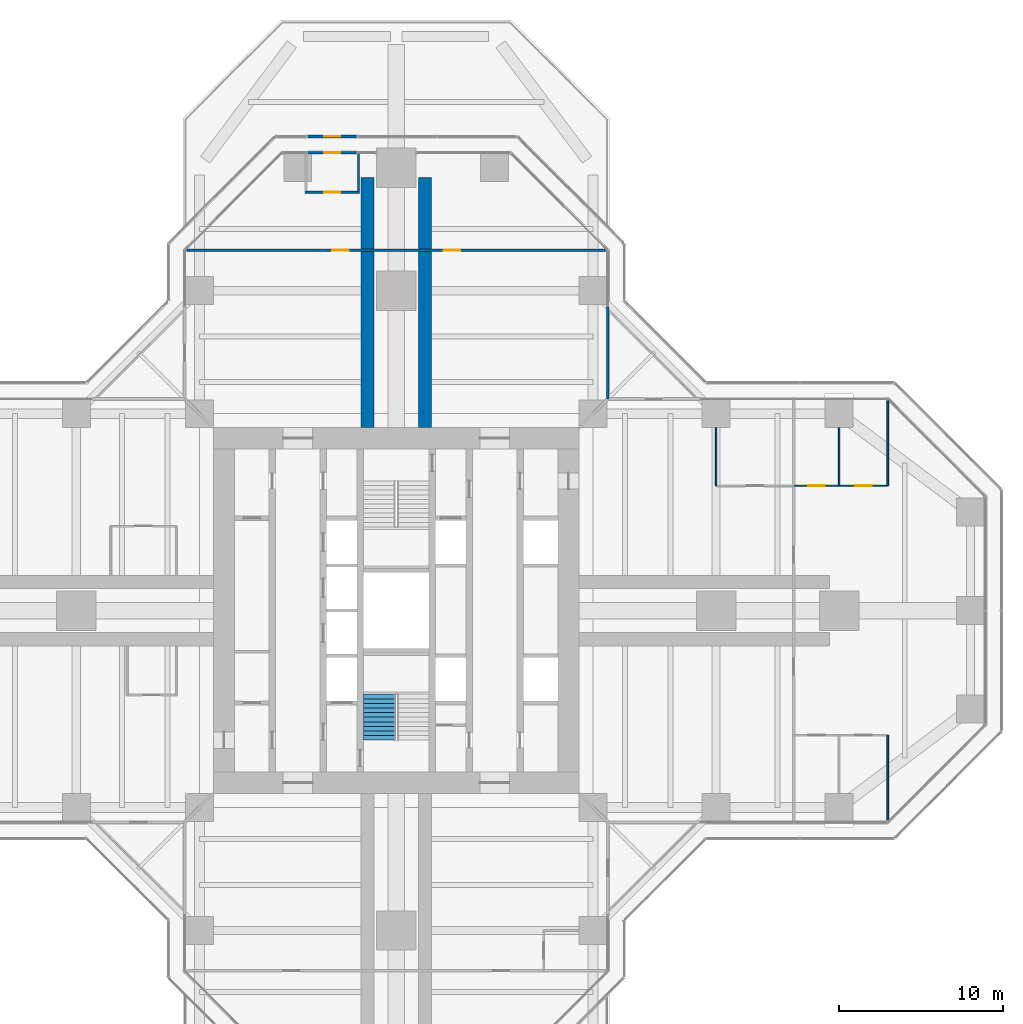
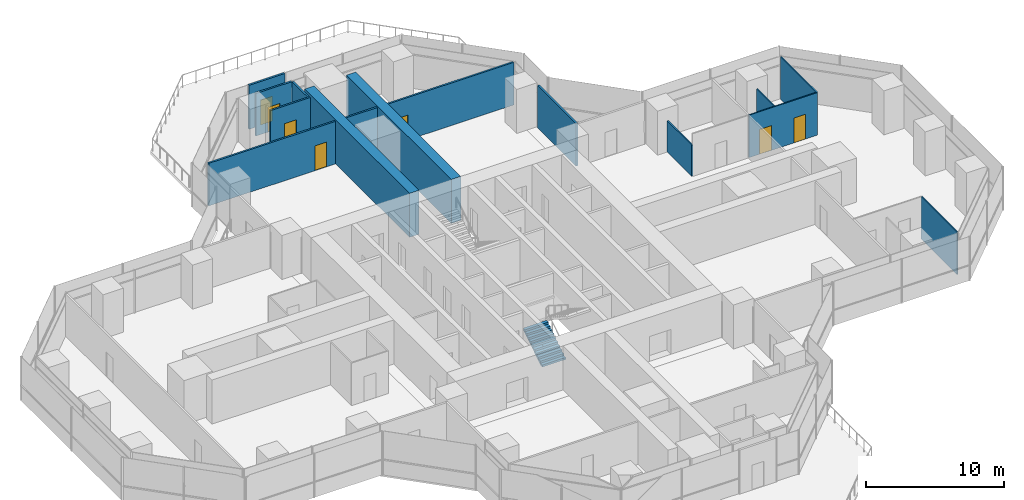
# One storey, part 19 of 21: 13 walls, 7 doors, 1 stair flight, 7 openings, 1 element without a shape of its own.
"""IFC4 building model written with IfcOpenShell, lengths in metres."""

from ifc_helpers import new_model, si_unit, direction, frame, frame_2d, origin, place, context, subcontext, project, spatial, polyline, rectangle, outline, extrude, material, layer, layer_set, type_object, element, fill, aggregate, save


model = new_model("IFC4")

# Units and contexts
model_context = context("Model", 3, precision=1e-05, world=origin(), true_north=direction((0.0, 1.0)))
body_context = subcontext(model_context, "Body", "Model", "MODEL_VIEW")
ifc_project = project(units=[si_unit("LENGTHUNIT", "METRE"), si_unit("AREAUNIT", "SQUARE_METRE"), si_unit("VOLUMEUNIT", "CUBIC_METRE"), si_unit("PLANEANGLEUNIT", "RADIAN"), si_unit("MASSUNIT", "GRAM", prefix="KILO")], contexts=[model_context])

# Site, building, storey
site_placement = place(None, origin())
site = spatial("IfcSite", under=ifc_project, at=site_placement, CompositionType="ELEMENT")
building_placement = place(site_placement, origin())
building = spatial("IfcBuilding", under=site, at=building_placement, Name="Mizan Broadcast Tower", CompositionType="ELEMENT")
storey_placement = place(building_placement, frame((0.0, 0.0, 124.199951171875)))
storey = spatial("IfcBuildingStorey", under=building, at=storey_placement, Name="L27", CompositionType="ELEMENT", Elevation=124.199951171875)

# Wall
ifc_material_1 = material(Name="Aluminium framed glazed screen", Category="aluminium")
ifc_layer_1 = layer(ifc_material_1, 0.159912109375)
ifc_layer_set_1 = layer_set([ifc_layer_1], Name="Aluminium framed glazed screen")
wall_type_1 = type_object("IfcWallType", Name="GLAZED SCREEN WALL 160", PredefinedType="SOLIDWALL", material=ifc_layer_set_1)
wall_1_placement = place(storey_placement, frame((12.89990234375, 12.89990234375, 0.0), z_axis=(0.0, 0.0, 1.0), x_axis=(0.0, 1.0, 0.0)))
element("IfcWall", 1, at=wall_1_placement, inside=storey, type_object=wall_type_1, Name="Winter garden screen L27 N", PredefinedType="SOLIDWALL", context=body_context, shape_type="SweptSolid", body=[
    extrude(rectangle(XDim=5.60009765625, YDim=0.159912109375, at=frame_2d((2.800048828125, 0.0))), origin(), (0.0, 0.0, 1.0), 3.77001953125),
])

# Wall, opening, door
wall_2_placement = place(storey_placement, frame((-2.39990234375, 27.89990234375, 0.0), z_axis=(0.0, 0.0, 1.0), x_axis=(-1.0, 0.0, 0.0)))
wall_2 = element("IfcWall", 2, at=wall_2_placement, inside=storey, type_object=wall_type_1, Name="Roof access screen wall L27 N", PredefinedType="SOLIDWALL", context=body_context, shape_type="SweptSolid", body=[
    extrude(rectangle(XDim=3.0, YDim=0.159912109375, at=frame_2d((1.5, 0.0))), origin(), (0.0, 0.0, 1.0), 3.77001953125),
])
opening_1_placement = place(wall_2_placement, frame((1.0, 0.0, 0.0)))
opening_1 = element("IfcOpeningElement", 3, at=opening_1_placement, cuts=wall_2, Name="Opening RA", PredefinedType="OPENING", context=body_context, shape_type="SweptSolid", body=[
    extrude(rectangle(XDim=1.0, YDim=2.199951171875, at=frame_2d((0.5, 1.10009765625))), frame((0.0, 0.08984375, 0.0), z_axis=(0.0, -1.0, 0.0), x_axis=(1.0, 0.0, 0.0)), (0.0, 0.0, 1.0), 0.179931640625),
])
ifc_material_2 = material(Name="Steel door", Category="steel")
door_type_1 = type_object("IfcDoorType", Name="ROOF ACCESS DOOR 1000", OperationType="SINGLE_SWING_LEFT", PredefinedType="DOOR", material=ifc_material_2)
door_1_placement = place(opening_1_placement, origin())
door_1 = element("IfcDoor", 4, at=door_1_placement, inside=storey, type_object=door_type_1, Name="Roof access door L27 N", OperationType="SINGLE_SWING_LEFT", OverallHeight=2.199951171875, OverallWidth=1.0, PredefinedType="DOOR", context=body_context, shape_type="SweptSolid", body=[
    extrude(rectangle(XDim=1.0, YDim=2.199951171875, at=frame_2d((0.5, 1.10009765625))), frame((0.0, 0.02490234375, 0.0), z_axis=(0.0, -1.0, 0.0), x_axis=(1.0, 0.0, 0.0)), (0.0, 0.0, 1.0), 0.050048828125),
])
fill(opening_1, door_1)

ifc_material_3 = material(Name="Aluminium framed glazed screen", Category="aluminium")
ifc_layer_2 = layer(ifc_material_3, 0.159912109375)
ifc_layer_set_2 = layer_set([ifc_layer_2], Name="Aluminium framed glazed screen")
wall_type_2 = type_object("IfcWallType", Name="OUTER SKIN DOOR SCREEN 160", PredefinedType="SOLIDWALL", material=ifc_layer_set_2)
wall_3_placement = place(storey_placement, frame((-5.39990234375, 28.89990234375, 0.0), z_axis=(0.0, 0.0, 1.0), x_axis=(1.0, 0.0, 0.0)))
wall_3 = element("IfcWall", 5, at=wall_3_placement, inside=storey, type_object=wall_type_2, Name="Outer skin roof access screen L27 N", PredefinedType="SOLIDWALL", context=body_context, shape_type="SweptSolid", body=[
    extrude(rectangle(XDim=3.0, YDim=0.159912109375, at=frame_2d((1.5, 0.0))), origin(), (0.0, 0.0, 1.0), 3.900146484375),
])
opening_2_placement = place(wall_3_placement, frame((1.0, 0.0, 0.0)))
opening_2 = element("IfcOpeningElement", 6, at=opening_2_placement, cuts=wall_3, Name="Opening RA", PredefinedType="OPENING", context=body_context, shape_type="SweptSolid", body=[
    extrude(rectangle(XDim=1.0, YDim=2.199951171875, at=frame_2d((0.5, 1.10009765625))), frame((0.0, 0.08984375, 0.0), z_axis=(0.0, -1.0, 0.0), x_axis=(1.0, 0.0, 0.0)), (0.0, 0.0, 1.0), 0.179931640625),
])
door_2_placement = place(opening_2_placement, origin())
door_2 = element("IfcDoor", 7, at=door_2_placement, inside=storey, type_object=door_type_1, Name="Roof access door L27 N outer skin", OperationType="SINGLE_SWING_RIGHT", OverallHeight=2.199951171875, OverallWidth=1.0, PredefinedType="DOOR", context=body_context, shape_type="SweptSolid", body=[
    extrude(rectangle(XDim=1.0, YDim=2.199951171875, at=frame_2d((0.5, 1.10009765625))), frame((0.0, 0.02490234375, 0.0), z_axis=(0.0, -1.0, 0.0), x_axis=(1.0, 0.0, 0.0)), (0.0, 0.0, 1.0), 0.050048828125),
])
fill(opening_2, door_2)

# Wall, openings, doors
ifc_material_4 = material(Name="Gypsum board on steel studs", Category="steel")
ifc_layer_3 = layer(ifc_material_4, 0.14990234375)
ifc_layer_set_3 = layer_set([ifc_layer_3], Name="Gypsum board on steel studs")
wall_type_3 = type_object("IfcWallType", Name="PARTITION 150", PredefinedType="PARTITIONING", material=ifc_layer_set_3)
wall_4_placement = place(storey_placement, frame((12.786376953125, 21.958984375, 0.0), z_axis=(0.0, 0.0, 1.0), x_axis=(-1.0, 0.0, 0.0)))
wall_4 = element("IfcWall", 8, at=wall_4_placement, inside=storey, type_object=wall_type_3, Name="Partition PT/NX1", PredefinedType="PARTITIONING", context=body_context, shape_type="SweptSolid", body=[
    extrude(rectangle(XDim=25.57275390625, YDim=0.14990234375, at=frame_2d((12.786376953125, 0.0))), origin(), (0.0, 0.0, 1.0), 3.77001953125),
])
opening_3_placement = place(wall_4_placement, frame((15.6865234375, 0.0, 0.0)))
opening_3 = element("IfcOpeningElement", 9, at=opening_3_placement, cuts=wall_4, Name="Opening D10", PredefinedType="OPENING", context=body_context, shape_type="SweptSolid", body=[
    extrude(rectangle(XDim=1.0, YDim=2.199951171875, at=frame_2d((0.5, 1.10009765625))), frame((0.0, 0.0849609375, 0.0), z_axis=(0.0, -1.0, 0.0), x_axis=(1.0, 0.0, 0.0)), (0.0, 0.0, 1.0), 0.169921875),
])
opening_4_placement = place(wall_4_placement, frame((8.886474609375, 0.0, 0.0)))
opening_4 = element("IfcOpeningElement", 10, at=opening_4_placement, cuts=wall_4, Name="Opening D10", PredefinedType="OPENING", context=body_context, shape_type="SweptSolid", body=[
    extrude(rectangle(XDim=1.0, YDim=2.199951171875, at=frame_2d((0.5, 1.10009765625))), frame((0.0, 0.0849609375, 0.0), z_axis=(0.0, -1.0, 0.0), x_axis=(1.0, 0.0, 0.0)), (0.0, 0.0, 1.0), 0.169921875),
])
ifc_material_5 = material(Name="Timber door leaf in aluminium frame", Category="wood")
door_type_2 = type_object("IfcDoorType", Name="ROOM DOOR 1000", OperationType="SINGLE_SWING_LEFT", PredefinedType="DOOR", material=ifc_material_5)
door_3_placement = place(opening_3_placement, origin())
door_3 = element("IfcDoor", 11, at=door_3_placement, inside=storey, type_object=door_type_2, Name="Finance director's office door", OperationType="SINGLE_SWING_RIGHT", OverallHeight=2.199951171875, OverallWidth=1.0, PredefinedType="DOOR", context=body_context, shape_type="SweptSolid", body=[
    extrude(rectangle(XDim=1.0, YDim=2.199951171875, at=frame_2d((0.5, 1.10009765625))), frame((0.0, 0.02490234375, 0.0), z_axis=(0.0, -1.0, 0.0), x_axis=(1.0, 0.0, 0.0)), (0.0, 0.0, 1.0), 0.050048828125),
])
fill(opening_3, door_3)
door_4_placement = place(opening_4_placement, origin())
door_4 = element("IfcDoor", 12, at=door_4_placement, inside=storey, type_object=door_type_2, Name="Finance director's office door", OperationType="SINGLE_SWING_LEFT", OverallHeight=2.199951171875, OverallWidth=1.0, PredefinedType="DOOR", context=body_context, shape_type="SweptSolid", body=[
    extrude(rectangle(XDim=1.0, YDim=2.199951171875, at=frame_2d((0.5, 1.10009765625))), frame((0.0, 0.02490234375, 0.0), z_axis=(0.0, -1.0, 0.0), x_axis=(1.0, 0.0, 0.0)), (0.0, 0.0, 1.0), 0.050048828125),
])
fill(opening_4, door_4)

# Wall, opening, door
wall_5_placement = place(storey_placement, frame((-2.22509765625, 25.4951171875, 0.0), z_axis=(0.0, 0.0, 1.0), x_axis=(-1.0, 0.0, 0.0)))
wall_5 = element("IfcWall", 13, at=wall_5_placement, inside=storey, type_object=wall_type_3, Name="Partition PT/NFMU", PredefinedType="PARTITIONING", context=body_context, shape_type="SweptSolid", body=[
    extrude(rectangle(XDim=3.349853515625, YDim=0.14990234375, at=frame_2d((1.6748046875, 0.0))), origin(), (0.0, 0.0, 1.0), 3.77001953125),
])
opening_5_placement = place(wall_5_placement, frame((1.175048828125, 0.0, 0.0)))
opening_5 = element("IfcOpeningElement", 14, at=opening_5_placement, cuts=wall_5, Name="Opening D10O", PredefinedType="OPENING", context=body_context, shape_type="SweptSolid", body=[
    extrude(rectangle(XDim=1.0, YDim=2.199951171875, at=frame_2d((0.5, 1.10009765625))), frame((0.0, 0.0849609375, 0.0), z_axis=(0.0, -1.0, 0.0), x_axis=(1.0, 0.0, 0.0)), (0.0, 0.0, 1.0), 0.169921875),
])
ifc_material_6 = material(Name="Timber door leaf in aluminium frame", Category="wood")
door_type_3 = type_object("IfcDoorType", Name="OFFICE DOOR 1000 GLAZED", OperationType="SINGLE_SWING_LEFT", PredefinedType="DOOR", material=ifc_material_6)
door_5_placement = place(opening_5_placement, origin())
door_5 = element("IfcDoor", 15, at=door_5_placement, inside=storey, type_object=door_type_3, Name="Facade maintenance store N door", OperationType="SINGLE_SWING_LEFT", OverallHeight=2.199951171875, OverallWidth=1.0, PredefinedType="DOOR", context=body_context, shape_type="SweptSolid", body=[
    extrude(rectangle(XDim=1.0, YDim=2.199951171875, at=frame_2d((0.5, 1.10009765625))), frame((0.0, 0.02490234375, 0.0), z_axis=(0.0, -1.0, 0.0), x_axis=(1.0, 0.0, 0.0)), (0.0, 0.0, 1.0), 0.050048828125),
])
fill(opening_5, door_5)

# Wall
wall_6_placement = place(storey_placement, frame((-2.300048828125, 25.570068359375, 0.0), z_axis=(0.0, 0.0, 1.0), x_axis=(0.0, 1.0, 0.0)))
element("IfcWall", 16, at=wall_6_placement, inside=storey, type_object=wall_type_3, Name="Partition PT/NFMN", PredefinedType="PARTITIONING", context=body_context, shape_type="SweptSolid", body=[
    extrude(rectangle(XDim=2.25, YDim=0.14990234375, at=frame_2d((1.125, 0.0))), origin(), (0.0, 0.0, 1.0), 3.77001953125),
])

# Wall, openings, doors
ifc_material_7 = material(Name="Glazed aluminium partition on aluminium track", Category="aluminium")
ifc_layer_4 = layer(ifc_material_7, 0.10009765625)
ifc_layer_set_4 = layer_set([ifc_layer_4], Name="Glazed aluminium partition on aluminium track")
wall_type_4 = type_object("IfcWallType", Name="PARTITION GLAZED OFFICE FRONT 100", PredefinedType="PARTITIONING", material=ifc_layer_set_4)
wall_7_placement = place(storey_placement, frame((24.22900390625, 7.60009765625, 0.0), z_axis=(0.0, 0.0, 1.0), x_axis=(1.0, 0.0, 0.0)))
wall_7 = element("IfcWall", 17, at=wall_7_placement, inside=storey, type_object=wall_type_4, Name="Glazed office front PT/ECP1", PredefinedType="PARTITIONING", context=body_context, shape_type="SweptSolid", body=[
    extrude(rectangle(XDim=5.72998046875, YDim=0.10009765625, at=frame_2d((2.864990234375, 0.0))), origin(), (0.0, 0.0, 1.0), 3.77001953125),
])
opening_6_placement = place(wall_7_placement, frame((0.885498046875, 0.0, 0.0)))
opening_6 = element("IfcOpeningElement", 18, at=opening_6_placement, cuts=wall_7, Name="Opening D10O", PredefinedType="OPENING", context=body_context, shape_type="SweptSolid", body=[
    extrude(rectangle(XDim=1.0, YDim=2.199951171875, at=frame_2d((0.5, 1.10009765625))), frame((0.0, 0.06005859375, 0.0), z_axis=(0.0, -1.0, 0.0), x_axis=(1.0, 0.0, 0.0)), (0.0, 0.0, 1.0), 0.1201171875),
])
opening_7_placement = place(wall_7_placement, frame((3.75048828125, 0.0, 0.0)))
opening_7 = element("IfcOpeningElement", 19, at=opening_7_placement, cuts=wall_7, Name="Opening D10O", PredefinedType="OPENING", context=body_context, shape_type="SweptSolid", body=[
    extrude(rectangle(XDim=1.0, YDim=2.199951171875, at=frame_2d((0.5, 1.10009765625))), frame((0.0, 0.06005859375, 0.0), z_axis=(0.0, -1.0, 0.0), x_axis=(1.0, 0.0, 0.0)), (0.0, 0.0, 1.0), 0.1201171875),
])
door_6_placement = place(opening_6_placement, origin())
door_6 = element("IfcDoor", 20, at=door_6_placement, inside=storey, type_object=door_type_3, Name="Office door", OperationType="SINGLE_SWING_LEFT", OverallHeight=2.199951171875, OverallWidth=1.0, PredefinedType="DOOR", context=body_context, shape_type="SweptSolid", body=[
    extrude(rectangle(XDim=1.0, YDim=2.199951171875, at=frame_2d((0.5, 1.10009765625))), frame((0.0, 0.02490234375, 0.0), z_axis=(0.0, -1.0, 0.0), x_axis=(1.0, 0.0, 0.0)), (0.0, 0.0, 1.0), 0.050048828125),
])
fill(opening_6, door_6)
door_7_placement = place(opening_7_placement, origin())
door_7 = element("IfcDoor", 21, at=door_7_placement, inside=storey, type_object=door_type_3, Name="Office door", OperationType="SINGLE_SWING_RIGHT", OverallHeight=2.199951171875, OverallWidth=1.0, PredefinedType="DOOR", context=body_context, shape_type="SweptSolid", body=[
    extrude(rectangle(XDim=1.0, YDim=2.199951171875, at=frame_2d((0.5, 1.10009765625))), frame((0.0, 0.02490234375, 0.0), z_axis=(0.0, -1.0, 0.0), x_axis=(1.0, 0.0, 0.0)), (0.0, 0.0, 1.0), 0.050048828125),
])
fill(opening_7, door_7)

# Walls
wall_8_placement = place(storey_placement, frame((19.5, 7.60009765625, 0.0), z_axis=(0.0, 0.0, 1.0), x_axis=(0.0, 1.0, 0.0)))
element("IfcWall", 22, at=wall_8_placement, inside=storey, type_object=wall_type_4, Name="Glazed office front PT/EQP1950", PredefinedType="PARTITIONING", context=body_context, shape_type="SweptSolid", body=[
    extrude(rectangle(XDim=3.5498046875, YDim=0.10009765625, at=frame_2d((1.77490234375, 0.0))), origin(), (0.0, 0.0, 1.0), 2.77001953125),
])
wall_9_placement = place(storey_placement, frame((27.0, 7.60009765625, 0.0), z_axis=(0.0, 0.0, 1.0), x_axis=(0.0, 1.0, 0.0)))
element("IfcWall", 23, at=wall_9_placement, inside=storey, type_object=wall_type_4, Name="Glazed office front PT/EQP2700", PredefinedType="PARTITIONING", context=body_context, shape_type="SweptSolid", body=[
    extrude(rectangle(XDim=3.5498046875, YDim=0.10009765625, at=frame_2d((1.77490234375, 0.0))), origin(), (0.0, 0.0, 1.0), 2.969970703125),
])
for number, where, z_axis, x_axis, name in (
    (24, (29.958984375, 7.60009765625, 0.0), (0.0, 0.0, 1.0), (0.0, 1.0, 0.0), "Glazed office front PT/EQP2996"),
    (25, (29.958984375, -7.60009765625, 0.0), (0.0, 0.0, 1.0), (0.0, -1.0, 0.0), "Glazed office front PT/EQN2996"),
):
    element("IfcWall", number, at=place(storey_placement, frame(where, z_axis=z_axis, x_axis=x_axis)), inside=storey, type_object=wall_type_4, Name=name, PredefinedType="PARTITIONING", context=body_context, shape_type="SweptSolid", body=[
        extrude(rectangle(XDim=5.219970703125, YDim=0.10009765625, at=frame_2d((2.60986328125, 0.0))), origin(), (0.0, 0.0, 1.0), 3.77001953125),
    ])
ifc_material_8 = material(Name="Concrete C70/85", Category="concrete")
ifc_layer_5 = layer(ifc_material_8, 0.800048828125)
ifc_layer_set_5 = layer_set([ifc_layer_5], Name="Concrete C70/85")
wall_type_5 = type_object("IfcWallType", Name="SPINE WALL 800", PredefinedType="SHEAR", material=ifc_layer_set_5)
for number, where, z_axis, x_axis, name in (
    (26, (1.75, 11.14990234375, 0.0), (0.0, 0.0, 1.0), (0.0, 1.0, 0.0), "Spine wall NR L27"),
    (27, (-1.75, 11.14990234375, 0.0), (0.0, 0.0, 1.0), (0.0, 1.0, 0.0), "Spine wall NL L27"),
):
    element("IfcWall", number, at=place(storey_placement, frame(where, z_axis=z_axis, x_axis=x_axis)), inside=storey, type_object=wall_type_5, Name=name, PredefinedType="SHEAR", context=body_context, shape_type="SweptSolid", body=[
        extrude(rectangle(XDim=15.25, YDim=0.800048828125, at=frame_2d((7.625, 0.0))), origin(), (0.0, 0.0, 1.0), 3.900146484375),
    ])

# Stair, stair flight
ifc_material_9 = material(Name="Concrete C40/50", Category="concrete")
stair_type = type_object("IfcStairType", Name="EXIT STAIR", PredefinedType="HALF_TURN_STAIR", material=ifc_material_9)
stair_placement = place(storey_placement, origin())
stair = element("IfcStair", 28, at=stair_placement, inside=storey, type_object=stair_type, Name="Stair A L27", PredefinedType="HALF_TURN_STAIR")
ifc_material_10 = material(Name="Concrete C40/50", Category="concrete")
stair_flight_type = type_object("IfcStairFlightType", Name="EXIT STAIR FLIGHT", PredefinedType="STRAIGHT", material=ifc_material_10)
stair_flight_placement = place(storey_placement, frame((-1.02490234375, -7.89990234375, 0.0), z_axis=(0.0, 0.0, 1.0), x_axis=(0.0, 1.0, 0.0)))
stair_flight = element("IfcStairFlight", 29, at=stair_flight_placement, type_object=stair_flight_type, Name="A flight 1", NumberOfRisers=11, NumberOfTreads=10, PredefinedType="STRAIGHT", RiserHeight=0.177272727, TreadLength=0.28, context=body_context, shape_type="SweptSolid", body=[
    extrude(outline(polyline([(0.0, 0.0), (0.0, 0.17724609375), (0.280029296875, 0.17724609375), (0.280029296875, 0.3544921875), (0.56005859375, 0.3544921875), (0.56005859375, 0.53173828125), (0.840087890625, 0.53173828125), (0.840087890625, 0.708984375), (1.1201171875, 0.708984375), (1.1201171875, 0.886474609375), (1.39990234375, 0.886474609375), (1.39990234375, 1.063720703125), (1.679931640625, 1.063720703125), (1.679931640625, 1.240966796875), (1.9599609375, 1.240966796875), (1.9599609375, 1.418212890625), (2.239990234375, 1.418212890625), (2.239990234375, 1.595458984375), (2.52001953125, 1.595458984375), (2.52001953125, 1.772705078125), (2.800048828125, 1.772705078125), (2.800048828125, 1.949951171875), (2.800048828125, 1.59521484375), (0.2802734375, 0.0), (0.0, 0.0)])), frame((0.0, 0.97509765625, 0.0), z_axis=(0.0, -1.0, 0.0), x_axis=(1.0, 0.0, 0.0)), (0.0, 0.0, 1.0), 0.4873046875),
    extrude(outline(polyline([(0.0, 0.0), (0.0, 0.17724609375), (0.280029296875, 0.17724609375), (0.280029296875, 0.3544921875), (0.56005859375, 0.3544921875), (0.56005859375, 0.53173828125), (0.840087890625, 0.53173828125), (0.840087890625, 0.708984375), (1.1201171875, 0.708984375), (1.1201171875, 0.886474609375), (1.39990234375, 0.886474609375), (1.39990234375, 1.063720703125), (1.679931640625, 1.063720703125), (1.679931640625, 1.240966796875), (1.9599609375, 1.240966796875), (1.9599609375, 1.418212890625), (2.239990234375, 1.418212890625), (2.239990234375, 1.595458984375), (2.52001953125, 1.595458984375), (2.52001953125, 1.772705078125), (2.800048828125, 1.772705078125), (2.800048828125, 1.949951171875), (2.800048828125, 1.59521484375), (0.2802734375, 0.0), (0.0, 0.0)])), frame((0.0, 0.4873046875, 0.0), z_axis=(0.0, -1.0, 0.0), x_axis=(1.0, 0.0, 0.0)), (0.0, 0.0, 1.0), 0.2431640625),
    extrude(outline(polyline([(0.0, 0.0), (0.0, 0.17724609375), (0.280029296875, 0.17724609375), (0.280029296875, 0.3544921875), (0.56005859375, 0.3544921875), (0.56005859375, 0.53173828125), (0.840087890625, 0.53173828125), (0.840087890625, 0.708984375), (1.1201171875, 0.708984375), (1.1201171875, 0.886474609375), (1.39990234375, 0.886474609375), (1.39990234375, 1.063720703125), (1.679931640625, 1.063720703125), (1.679931640625, 1.240966796875), (1.9599609375, 1.240966796875), (1.9599609375, 1.418212890625), (2.239990234375, 1.418212890625), (2.239990234375, 1.595458984375), (2.52001953125, 1.595458984375), (2.52001953125, 1.772705078125), (2.800048828125, 1.772705078125), (2.800048828125, 1.949951171875), (2.800048828125, 1.59521484375), (0.2802734375, 0.0), (0.0, 0.0)])), frame((0.0, 0.24365234375, 0.0), z_axis=(0.0, -1.0, 0.0), x_axis=(1.0, 0.0, 0.0)), (0.0, 0.0, 1.0), 0.121337890625),
    extrude(outline(polyline([(0.0, 0.0), (0.0, 0.17724609375), (0.280029296875, 0.17724609375), (0.280029296875, 0.3544921875), (0.56005859375, 0.3544921875), (0.56005859375, 0.53173828125), (0.840087890625, 0.53173828125), (0.840087890625, 0.708984375), (1.1201171875, 0.708984375), (1.1201171875, 0.886474609375), (1.39990234375, 0.886474609375), (1.39990234375, 1.063720703125), (1.679931640625, 1.063720703125), (1.679931640625, 1.240966796875), (1.9599609375, 1.240966796875), (1.9599609375, 1.418212890625), (2.239990234375, 1.418212890625), (2.239990234375, 1.595458984375), (2.52001953125, 1.595458984375), (2.52001953125, 1.772705078125), (2.800048828125, 1.772705078125), (2.800048828125, 1.949951171875), (2.800048828125, 1.59521484375), (0.2802734375, 0.0), (0.0, 0.0)])), frame((0.0, 0.121826171875, 0.0), z_axis=(0.0, -1.0, 0.0), x_axis=(1.0, 0.0, 0.0)), (0.0, 0.0, 1.0), 0.060546875),
    extrude(outline(polyline([(0.0, 0.0), (0.0, 0.17724609375), (0.280029296875, 0.17724609375), (0.280029296875, 0.3544921875), (0.56005859375, 0.3544921875), (0.56005859375, 0.53173828125), (0.840087890625, 0.53173828125), (0.840087890625, 0.708984375), (1.1201171875, 0.708984375), (1.1201171875, 0.886474609375), (1.39990234375, 0.886474609375), (1.39990234375, 1.063720703125), (1.679931640625, 1.063720703125), (1.679931640625, 1.240966796875), (1.9599609375, 1.240966796875), (1.9599609375, 1.418212890625), (2.239990234375, 1.418212890625), (2.239990234375, 1.595458984375), (2.52001953125, 1.595458984375), (2.52001953125, 1.772705078125), (2.800048828125, 1.772705078125), (2.800048828125, 1.949951171875), (2.800048828125, 1.59521484375), (0.2802734375, 0.0), (0.0, 0.0)])), frame((0.0, 0.060791015625, 0.0), z_axis=(0.0, -1.0, 0.0), x_axis=(1.0, 0.0, 0.0)), (0.0, 0.0, 1.0), 0.030029296875),
    extrude(outline(polyline([(0.0, 0.0), (0.0, 0.17724609375), (0.280029296875, 0.17724609375), (0.280029296875, 0.3544921875), (0.56005859375, 0.3544921875), (0.56005859375, 0.53173828125), (0.840087890625, 0.53173828125), (0.840087890625, 0.708984375), (1.1201171875, 0.708984375), (1.1201171875, 0.886474609375), (1.39990234375, 0.886474609375), (1.39990234375, 1.063720703125), (1.679931640625, 1.063720703125), (1.679931640625, 1.240966796875), (1.9599609375, 1.240966796875), (1.9599609375, 1.418212890625), (2.239990234375, 1.418212890625), (2.239990234375, 1.595458984375), (2.52001953125, 1.595458984375), (2.52001953125, 1.772705078125), (2.800048828125, 1.772705078125), (2.800048828125, 1.949951171875), (2.800048828125, 1.59521484375), (0.2802734375, 0.0), (0.0, 0.0)])), frame((0.0, 0.0302734375, 0.0), z_axis=(0.0, -1.0, 0.0), x_axis=(1.0, 0.0, 0.0)), (0.0, 0.0, 1.0), 0.060302734375),
    extrude(outline(polyline([(0.0, 0.0), (0.0, 0.17724609375), (0.280029296875, 0.17724609375), (0.280029296875, 0.3544921875), (0.56005859375, 0.3544921875), (0.56005859375, 0.53173828125), (0.840087890625, 0.53173828125), (0.840087890625, 0.708984375), (1.1201171875, 0.708984375), (1.1201171875, 0.886474609375), (1.39990234375, 0.886474609375), (1.39990234375, 1.063720703125), (1.679931640625, 1.063720703125), (1.679931640625, 1.240966796875), (1.9599609375, 1.240966796875), (1.9599609375, 1.418212890625), (2.239990234375, 1.418212890625), (2.239990234375, 1.595458984375), (2.52001953125, 1.595458984375), (2.52001953125, 1.772705078125), (2.800048828125, 1.772705078125), (2.800048828125, 1.949951171875), (2.800048828125, 1.59521484375), (0.2802734375, 0.0), (0.0, 0.0)])), frame((0.0, -0.030517578125, 0.0), z_axis=(0.0, -1.0, 0.0), x_axis=(1.0, 0.0, 0.0)), (0.0, 0.0, 1.0), 0.030029296875),
    extrude(outline(polyline([(0.0, 0.0), (0.0, 0.17724609375), (0.280029296875, 0.17724609375), (0.280029296875, 0.3544921875), (0.56005859375, 0.3544921875), (0.56005859375, 0.53173828125), (0.840087890625, 0.53173828125), (0.840087890625, 0.708984375), (1.1201171875, 0.708984375), (1.1201171875, 0.886474609375), (1.39990234375, 0.886474609375), (1.39990234375, 1.063720703125), (1.679931640625, 1.063720703125), (1.679931640625, 1.240966796875), (1.9599609375, 1.240966796875), (1.9599609375, 1.418212890625), (2.239990234375, 1.418212890625), (2.239990234375, 1.595458984375), (2.52001953125, 1.595458984375), (2.52001953125, 1.772705078125), (2.800048828125, 1.772705078125), (2.800048828125, 1.949951171875), (2.800048828125, 1.59521484375), (0.2802734375, 0.0), (0.0, 0.0)])), frame((0.0, -0.06103515625, 0.0), z_axis=(0.0, -1.0, 0.0), x_axis=(1.0, 0.0, 0.0)), (0.0, 0.0, 1.0), 0.060546875),
    extrude(outline(polyline([(0.0, 0.0), (0.0, 0.17724609375), (0.280029296875, 0.17724609375), (0.280029296875, 0.3544921875), (0.56005859375, 0.3544921875), (0.56005859375, 0.53173828125), (0.840087890625, 0.53173828125), (0.840087890625, 0.708984375), (1.1201171875, 0.708984375), (1.1201171875, 0.886474609375), (1.39990234375, 0.886474609375), (1.39990234375, 1.063720703125), (1.679931640625, 1.063720703125), (1.679931640625, 1.240966796875), (1.9599609375, 1.240966796875), (1.9599609375, 1.418212890625), (2.239990234375, 1.418212890625), (2.239990234375, 1.595458984375), (2.52001953125, 1.595458984375), (2.52001953125, 1.772705078125), (2.800048828125, 1.772705078125), (2.800048828125, 1.949951171875), (2.800048828125, 1.59521484375), (0.2802734375, 0.0), (0.0, 0.0)])), frame((0.0, -0.1220703125, 0.0), z_axis=(0.0, -1.0, 0.0), x_axis=(1.0, 0.0, 0.0)), (0.0, 0.0, 1.0), 0.121337890625),
    extrude(outline(polyline([(0.0, 0.0), (0.0, 0.17724609375), (0.280029296875, 0.17724609375), (0.280029296875, 0.3544921875), (0.56005859375, 0.3544921875), (0.56005859375, 0.53173828125), (0.840087890625, 0.53173828125), (0.840087890625, 0.708984375), (1.1201171875, 0.708984375), (1.1201171875, 0.886474609375), (1.39990234375, 0.886474609375), (1.39990234375, 1.063720703125), (1.679931640625, 1.063720703125), (1.679931640625, 1.240966796875), (1.9599609375, 1.240966796875), (1.9599609375, 1.418212890625), (2.239990234375, 1.418212890625), (2.239990234375, 1.595458984375), (2.52001953125, 1.595458984375), (2.52001953125, 1.772705078125), (2.800048828125, 1.772705078125), (2.800048828125, 1.949951171875), (2.800048828125, 1.59521484375), (0.2802734375, 0.0), (0.0, 0.0)])), frame((0.0, -0.243896484375, 0.0), z_axis=(0.0, -1.0, 0.0), x_axis=(1.0, 0.0, 0.0)), (0.0, 0.0, 1.0), 0.2431640625),
    extrude(outline(polyline([(0.0, 0.0), (0.0, 0.17724609375), (0.280029296875, 0.17724609375), (0.280029296875, 0.3544921875), (0.56005859375, 0.3544921875), (0.56005859375, 0.53173828125), (0.840087890625, 0.53173828125), (0.840087890625, 0.708984375), (1.1201171875, 0.708984375), (1.1201171875, 0.886474609375), (1.39990234375, 0.886474609375), (1.39990234375, 1.063720703125), (1.679931640625, 1.063720703125), (1.679931640625, 1.240966796875), (1.9599609375, 1.240966796875), (1.9599609375, 1.418212890625), (2.239990234375, 1.418212890625), (2.239990234375, 1.595458984375), (2.52001953125, 1.595458984375), (2.52001953125, 1.772705078125), (2.800048828125, 1.772705078125), (2.800048828125, 1.949951171875), (2.800048828125, 1.59521484375), (0.2802734375, 0.0), (0.0, 0.0)])), frame((0.0, -0.487548828125, 0.0), z_axis=(0.0, -1.0, 0.0), x_axis=(1.0, 0.0, 0.0)), (0.0, 0.0, 1.0), 0.4873046875),
])
aggregate(stair, [stair_flight])

save(model, "model.ifc")
